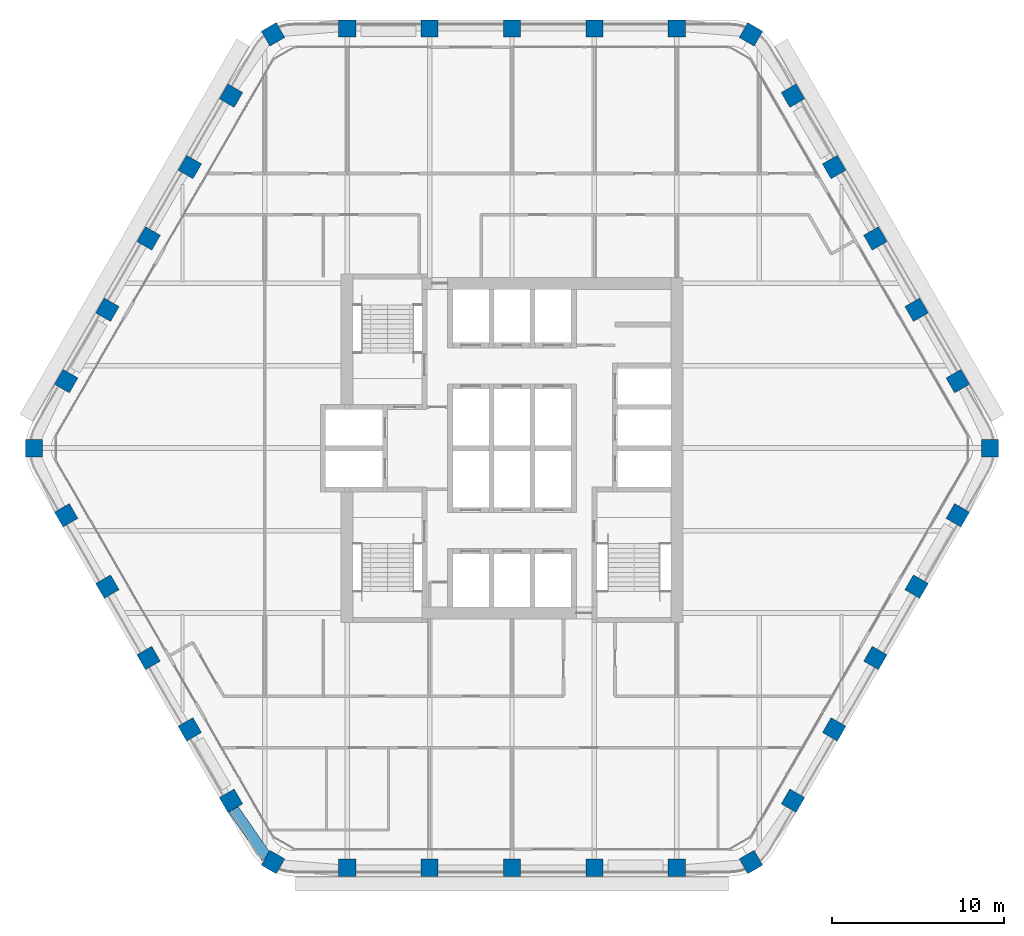
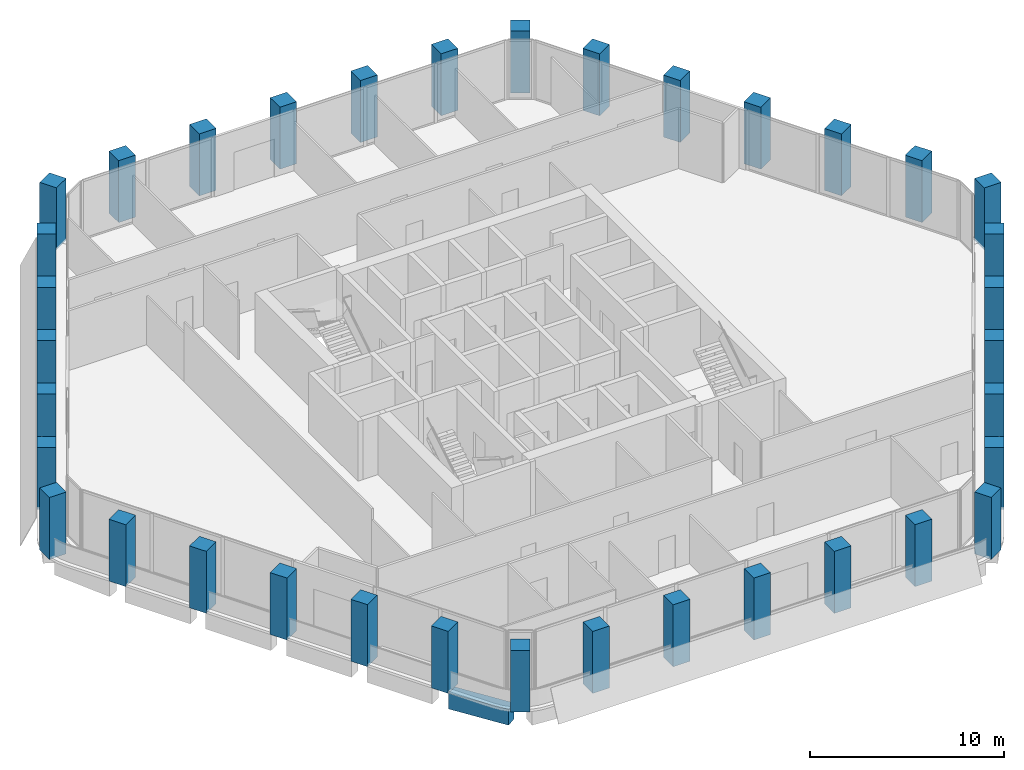
# One storey, part 1 of 15: 36 columns, 1 beam.
"""IFC4 building model written with IfcOpenShell, lengths in metres."""

from ifc_helpers import new_model, si_unit, direction, frame, origin, origin_2d, place, context, subcontext, project, spatial, rectangle, extrude, material, material_profile, profile_set, type_object, element, save


model = new_model("IFC4")

# Units and contexts
model_context = context("Model", 3, precision=1e-05, world=origin(), true_north=direction((0.0, 1.0)))
body_context = subcontext(model_context, "Body", "Model", "MODEL_VIEW")
ifc_project = project(units=[si_unit("LENGTHUNIT", "METRE"), si_unit("AREAUNIT", "SQUARE_METRE"), si_unit("VOLUMEUNIT", "CUBIC_METRE"), si_unit("PLANEANGLEUNIT", "RADIAN"), si_unit("MASSUNIT", "GRAM", prefix="KILO")], contexts=[model_context])

# Site, building, storey
site_placement = place(None, origin())
site = spatial("IfcSite", under=ifc_project, at=site_placement, CompositionType="ELEMENT")
building_placement = place(site_placement, origin())
building = spatial("IfcBuilding", under=site, at=building_placement, Name="Kolab Exchange Tower", CompositionType="ELEMENT")
storey_placement = place(building_placement, frame((0.0, 0.0, 205.10009765625)))
storey = spatial("IfcBuildingStorey", under=building, at=storey_placement, Name="L44", CompositionType="ELEMENT", Elevation=205.10009765625)

# Columns
ifc_material = material(Name="Concrete C60/75", Category="concrete")
ifc_material_profile_1 = material_profile(ifc_material, rectangle(XDim=1.0, YDim=1.0, at=origin_2d()), Name="RC1000")
ifc_profile_set_1 = profile_set([ifc_material_profile_1], Name="Concrete C60/75")
column_type = type_object("IfcColumnType", Name="PERIMETER COLUMN 1000 SQ C60/75", PredefinedType="COLUMN", material=ifc_profile_set_1)
for number, where, z_axis, x_axis, name in (
    (1, (-13.91796875, 24.106689453125, -0.150146484375), (0.0, 0.0, 1.0), (0.866025403784, 0.5, 0.0), "col/L44/F1-01"),
    (2, (-9.60009765625, 24.441650390625, -0.150146484375), (0.0, 0.0, 1.0), (1.0, 0.0, 0.0), "col/L44/F1-02"),
    (3, (-4.800048828125, 24.441650390625, -0.150146484375), (0.0, 0.0, 1.0), (1.0, 0.0, 0.0), "col/L44/F1-03"),
    (4, (0.0, 24.441650390625, -0.150146484375), (0.0, 0.0, 1.0), (1.0, 0.0, 0.0), "col/L44/F1-04"),
    (5, (4.800048828125, 24.441650390625, -0.150146484375), (0.0, 0.0, 1.0), (1.0, 0.0, 0.0), "col/L44/F1-05"),
    (6, (9.60009765625, 24.441650390625, -0.150146484375), (0.0, 0.0, 1.0), (1.0, 0.0, 0.0), "col/L44/F1-06"),
    (7, (13.91796875, 24.106689453125, -0.150146484375), (0.0, 0.0, 1.0), (0.5, 0.866025403784, 0.0), "col/L44/F2-01"),
    (8, (16.366943359375, 20.53466796875, -0.150146484375), (0.0, 0.0, 1.0), (0.866025403784, 0.5, 0.0), "col/L44/F2-02"),
    (9, (18.76708984375, 16.377685546875, -0.150146484375), (0.0, 0.0, 1.0), (0.866025403784, 0.5, 0.0), "col/L44/F2-03"),
    (10, (21.1669921875, 12.220703125, -0.150146484375), (0.0, 0.0, 1.0), (0.866025403784, 0.5, 0.0), "col/L44/F2-04"),
    (11, (23.56689453125, 8.06396484375, -0.150146484375), (0.0, 0.0, 1.0), (0.866025403784, 0.5, 0.0), "col/L44/F2-05"),
    (12, (25.967041015625, 3.906982421875, -0.150146484375), (0.0, 0.0, 1.0), (0.866025403784, 0.5, 0.0), "col/L44/F2-06"),
    (13, (27.8359375, 0.0, -0.150146484375), (0.0, 0.0, 1.0), (1.0, 0.0, 0.0), "col/L44/F3-01"),
    (14, (25.967041015625, -3.906982421875, -0.150146484375), (0.0, 0.0, 1.0), (0.5, 0.866025403784, 0.0), "col/L44/F3-02"),
    (15, (23.56689453125, -8.06396484375, -0.150146484375), (0.0, 0.0, 1.0), (0.5, 0.866025403784, 0.0), "col/L44/F3-03"),
    (16, (21.1669921875, -12.220703125, -0.150146484375), (0.0, 0.0, 1.0), (0.5, 0.866025403784, 0.0), "col/L44/F3-04"),
    (17, (18.76708984375, -16.377685546875, -0.150146484375), (0.0, 0.0, 1.0), (0.5, 0.866025403784, 0.0), "col/L44/F3-05"),
    (18, (16.366943359375, -20.53466796875, -0.150146484375), (0.0, 0.0, 1.0), (0.5, 0.866025403784, 0.0), "col/L44/F3-06"),
    (19, (13.91796875, -24.106689453125, -0.150146484375), (0.0, 0.0, 1.0), (0.866025403784, 0.5, 0.0), "col/L44/F4-01"),
    (20, (9.60009765625, -24.441650390625, -0.150146484375), (0.0, 0.0, 1.0), (1.0, 0.0, 0.0), "col/L44/F4-02"),
    (21, (4.800048828125, -24.441650390625, -0.150146484375), (0.0, 0.0, 1.0), (1.0, 0.0, 0.0), "col/L44/F4-03"),
    (22, (0.0, -24.441650390625, -0.150146484375), (0.0, 0.0, 1.0), (1.0, 0.0, 0.0), "col/L44/F4-04"),
    (23, (-4.800048828125, -24.441650390625, -0.150146484375), (0.0, 0.0, 1.0), (1.0, 0.0, 0.0), "col/L44/F4-05"),
    (24, (-9.60009765625, -24.441650390625, -0.150146484375), (0.0, 0.0, 1.0), (1.0, 0.0, 0.0), "col/L44/F4-06"),
    (25, (-13.91796875, -24.106689453125, -0.150146484375), (0.0, 0.0, 1.0), (0.5, 0.866025403784, 0.0), "col/L44/F5-01"),
    (26, (-16.366943359375, -20.53466796875, -0.150146484375), (0.0, 0.0, 1.0), (0.866025403784, 0.5, 0.0), "col/L44/F5-02"),
    (27, (-18.76708984375, -16.377685546875, -0.150146484375), (0.0, 0.0, 1.0), (0.866025403784, 0.5, 0.0), "col/L44/F5-03"),
    (28, (-21.1669921875, -12.220703125, -0.150146484375), (0.0, 0.0, 1.0), (0.866025403784, 0.5, 0.0), "col/L44/F5-04"),
    (29, (-23.56689453125, -8.06396484375, -0.150146484375), (0.0, 0.0, 1.0), (0.866025403784, 0.5, 0.0), "col/L44/F5-05"),
    (30, (-25.967041015625, -3.906982421875, -0.150146484375), (0.0, 0.0, 1.0), (0.866025403784, 0.5, 0.0), "col/L44/F5-06"),
    (31, (-27.8359375, 0.0, -0.150146484375), (0.0, 0.0, 1.0), (1.0, 0.0, 0.0), "col/L44/F6-01"),
    (32, (-25.967041015625, 3.906982421875, -0.150146484375), (0.0, 0.0, 1.0), (0.5, 0.866025403784, 0.0), "col/L44/F6-02"),
    (33, (-23.56689453125, 8.06396484375, -0.150146484375), (0.0, 0.0, 1.0), (0.5, 0.866025403784, 0.0), "col/L44/F6-03"),
    (34, (-21.1669921875, 12.220703125, -0.150146484375), (0.0, 0.0, 1.0), (0.5, 0.866025403784, 0.0), "col/L44/F6-04"),
    (35, (-18.76708984375, 16.377685546875, -0.150146484375), (0.0, 0.0, 1.0), (0.5, 0.866025403784, 0.0), "col/L44/F6-05"),
    (36, (-16.366943359375, 20.53466796875, -0.150146484375), (0.0, 0.0, 1.0), (0.5, 0.866025403784, 0.0), "col/L44/F6-06"),
):
    element("IfcColumn", number, at=place(storey_placement, frame(where, z_axis=z_axis, x_axis=x_axis)), inside=storey, type_object=column_type, Name=name, PredefinedType="COLUMN", context=body_context, shape_type="SweptSolid", body=[
        extrude(rectangle(XDim=1.0, YDim=1.0, at=origin_2d()), origin(), (0.0, 0.0, 1.0), 3.900146484375),
    ])

# Beam
ifc_material_profile_2 = material_profile(ifc_material, rectangle(XDim=0.64990234375, YDim=1.0, at=origin_2d()), Name="RC650X1000")
ifc_profile_set_2 = profile_set([ifc_material_profile_2], Name="Concrete C60/75")
beam_type = type_object("IfcBeamType", Name="SPANDREL BEAM 650X1000 C60/75", PredefinedType="BEAM", material=ifc_profile_set_2)
beam_placement = place(storey_placement, frame((-14.29736328125, -23.8359375, -0.650146484375), z_axis=(-0.568572281073, 0.822633309073, 0.0), x_axis=(-0.822633309073, -0.568572281073, 0.0)))
element("IfcBeam", 37, at=beam_placement, inside=storey, type_object=beam_type, Name="beam/L44/sp/F5-01", PredefinedType="BEAM", context=body_context, shape_type="SweptSolid", body=[
    extrude(rectangle(XDim=0.64990234375, YDim=1.0, at=origin_2d()), origin(), (0.0, 0.0, 1.0), 3.445068359375),
])

save(model, "model.ifc")
